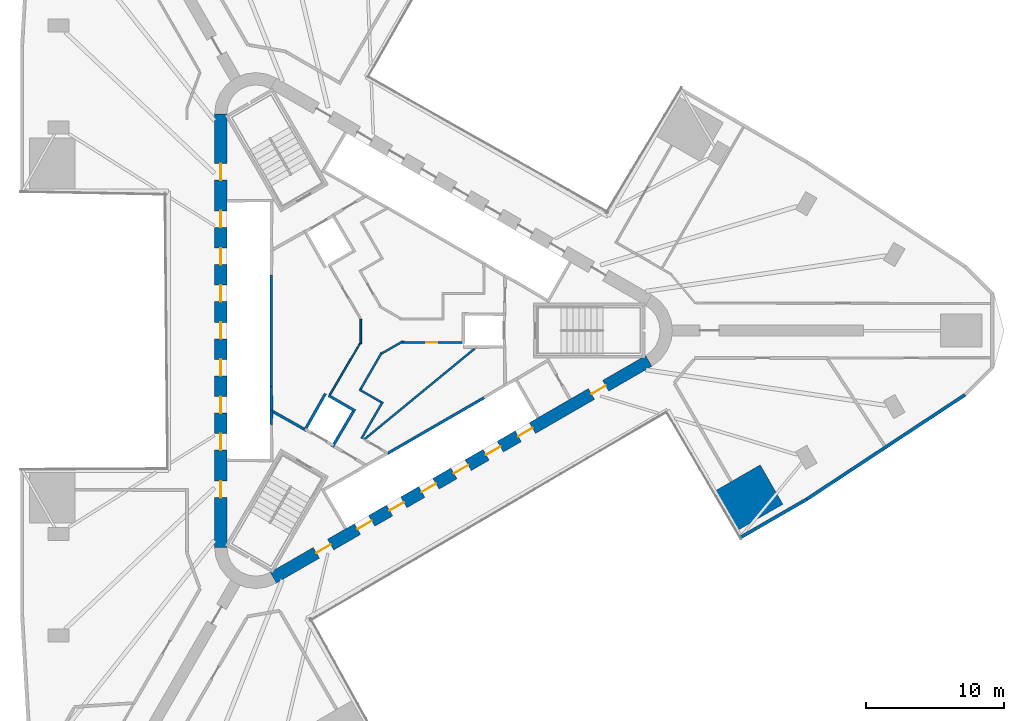
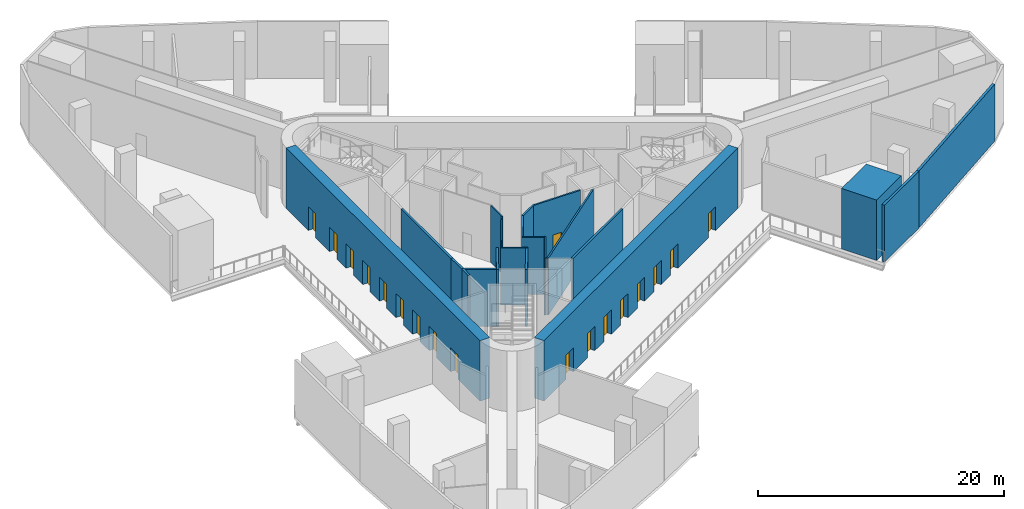
# One storey, part 4 of 11: 21 walls, 18 doors, 18 openings.
"""IFC4 building model written with IfcOpenShell, lengths in metres."""

from ifc_helpers import new_model, si_unit, direction, frame, frame_2d, origin, place, context, subcontext, project, spatial, polyline, rectangle, outline, extrude, material, layer, layer_set, type_object, element, fill, save


model = new_model("IFC4")

# Units and contexts
model_context = context("Model", 3, precision=1e-05, world=origin(), true_north=direction((0.0, 1.0)))
body_context = subcontext(model_context, "Body", "Model", "MODEL_VIEW")
ifc_project = project(units=[si_unit("LENGTHUNIT", "METRE"), si_unit("AREAUNIT", "SQUARE_METRE"), si_unit("VOLUMEUNIT", "CUBIC_METRE"), si_unit("PLANEANGLEUNIT", "RADIAN"), si_unit("MASSUNIT", "GRAM", prefix="KILO")], contexts=[model_context])

# Site, building, storey
site_placement = place(None, origin())
site = spatial("IfcSite", under=ifc_project, at=site_placement, CompositionType="ELEMENT")
building_placement = place(site_placement, origin())
building = spatial("IfcBuilding", under=site, at=building_placement, Name="Tanit Gate Tower", CompositionType="ELEMENT")
storey_placement = place(building_placement, frame((0.0, 0.0, 33.5)))
storey = spatial("IfcBuildingStorey", under=building, at=storey_placement, Name="L05", CompositionType="ELEMENT", Elevation=33.5)

# Wall, openings, doors
ifc_material_1 = material(Name="Concrete C60/75", Category="concrete")
ifc_layer_1 = layer(ifc_material_1, 0.89990234375)
ifc_layer_set_1 = layer_set([ifc_layer_1], Name="CORE WALL 900 C60/75")
wall_type_1 = type_object("IfcWallType", Name="CORE WALL 900 C60/75", PredefinedType="SHEAR", material=ifc_layer_set_1)
wall_1_placement = place(storey_placement, frame((-11.64990234375, 15.76171875, 0.0), z_axis=(0.0, 0.0, 1.0), x_axis=(0.0, -1.0, 0.0)))
wall_1 = element("IfcWall", 1, at=wall_1_placement, inside=storey, type_object=wall_type_1, Name="CORE WALL", PredefinedType="SHEAR", context=body_context, shape_type="SweptSolid", body=[
    extrude(rectangle(XDim=31.5234375, YDim=0.89990234375, at=frame_2d((15.76171875, 0.0))), origin(), (0.0, 0.0, 1.0), 6.0),
])
opening_1_placement = place(wall_1_placement, frame((7.061767578125, 0.0, 0.0)))
opening_1 = element("IfcOpeningElement", 2, at=opening_1_placement, cuts=wall_1, Name="Opening LDLL1-05", PredefinedType="OPENING", context=body_context, shape_type="SweptSolid", body=[
    extrude(rectangle(XDim=1.199951171875, YDim=2.39990234375, at=frame_2d((0.60009765625, 1.199951171875))), frame((0.0, 0.4599609375, 0.0), z_axis=(0.0, -1.0, 0.0), x_axis=(1.0, 0.0, 0.0)), (0.0, 0.0, 1.0), 0.919921875),
])
opening_2_placement = place(wall_1_placement, frame((9.76171875, 0.0, 0.0)))
opening_2 = element("IfcOpeningElement", 3, at=opening_2_placement, cuts=wall_1, Name="Opening LDLL2-05", PredefinedType="OPENING", context=body_context, shape_type="SweptSolid", body=[
    extrude(rectangle(XDim=1.199951171875, YDim=2.39990234375, at=frame_2d((0.60009765625, 1.199951171875))), frame((0.0, 0.4599609375, 0.0), z_axis=(0.0, -1.0, 0.0), x_axis=(1.0, 0.0, 0.0)), (0.0, 0.0, 1.0), 0.919921875),
])
opening_3_placement = place(wall_1_placement, frame((12.461669921875, 0.0, 0.0)))
opening_3 = element("IfcOpeningElement", 4, at=opening_3_placement, cuts=wall_1, Name="Opening LDLL3-05", PredefinedType="OPENING", context=body_context, shape_type="SweptSolid", body=[
    extrude(rectangle(XDim=1.199951171875, YDim=2.39990234375, at=frame_2d((0.60009765625, 1.199951171875))), frame((0.0, 0.4599609375, 0.0), z_axis=(0.0, -1.0, 0.0), x_axis=(1.0, 0.0, 0.0)), (0.0, 0.0, 1.0), 0.919921875),
])
opening_4_placement = place(wall_1_placement, frame((15.16162109375, 0.0, 0.0)))
opening_4 = element("IfcOpeningElement", 5, at=opening_4_placement, cuts=wall_1, Name="Opening LDLL4-05", PredefinedType="OPENING", context=body_context, shape_type="SweptSolid", body=[
    extrude(rectangle(XDim=1.199951171875, YDim=2.39990234375, at=frame_2d((0.60009765625, 1.199951171875))), frame((0.0, 0.4599609375, 0.0), z_axis=(0.0, -1.0, 0.0), x_axis=(1.0, 0.0, 0.0)), (0.0, 0.0, 1.0), 0.919921875),
])
opening_5_placement = place(wall_1_placement, frame((17.86181640625, 0.0, 0.0)))
opening_5 = element("IfcOpeningElement", 6, at=opening_5_placement, cuts=wall_1, Name="Opening LDLL5-05", PredefinedType="OPENING", context=body_context, shape_type="SweptSolid", body=[
    extrude(rectangle(XDim=1.199951171875, YDim=2.39990234375, at=frame_2d((0.60009765625, 1.199951171875))), frame((0.0, 0.4599609375, 0.0), z_axis=(0.0, -1.0, 0.0), x_axis=(1.0, 0.0, 0.0)), (0.0, 0.0, 1.0), 0.919921875),
])
opening_6_placement = place(wall_1_placement, frame((20.561767578125, 0.0, 0.0)))
opening_6 = element("IfcOpeningElement", 7, at=opening_6_placement, cuts=wall_1, Name="Opening LDLL6-05", PredefinedType="OPENING", context=body_context, shape_type="SweptSolid", body=[
    extrude(rectangle(XDim=1.199951171875, YDim=2.39990234375, at=frame_2d((0.60009765625, 1.199951171875))), frame((0.0, 0.4599609375, 0.0), z_axis=(0.0, -1.0, 0.0), x_axis=(1.0, 0.0, 0.0)), (0.0, 0.0, 1.0), 0.919921875),
])
opening_7_placement = place(wall_1_placement, frame((23.26171875, 0.0, 0.0)))
opening_7 = element("IfcOpeningElement", 8, at=opening_7_placement, cuts=wall_1, Name="Opening LDLL7-05", PredefinedType="OPENING", context=body_context, shape_type="SweptSolid", body=[
    extrude(rectangle(XDim=1.199951171875, YDim=2.39990234375, at=frame_2d((0.60009765625, 1.199951171875))), frame((0.0, 0.4599609375, 0.0), z_axis=(0.0, -1.0, 0.0), x_axis=(1.0, 0.0, 0.0)), (0.0, 0.0, 1.0), 0.919921875),
])
opening_8_placement = place(wall_1_placement, frame((3.61181640625, 0.0, 0.0)))
opening_8 = element("IfcOpeningElement", 9, at=opening_8_placement, cuts=wall_1, Name="Opening F12-05-FL2", PredefinedType="OPENING", context=body_context, shape_type="SweptSolid", body=[
    extrude(rectangle(XDim=1.199951171875, YDim=2.39990234375, at=frame_2d((0.60009765625, 1.199951171875))), frame((0.0, 0.4599609375, 0.0), z_axis=(0.0, -1.0, 0.0), x_axis=(1.0, 0.0, 0.0)), (0.0, 0.0, 1.0), 0.919921875),
])
opening_9_placement = place(wall_1_placement, frame((26.711669921875, 0.0, 0.0)))
opening_9 = element("IfcOpeningElement", 10, at=opening_9_placement, cuts=wall_1, Name="Opening F12-05-S3", PredefinedType="OPENING", context=body_context, shape_type="SweptSolid", body=[
    extrude(rectangle(XDim=1.199951171875, YDim=2.39990234375, at=frame_2d((0.60009765625, 1.199951171875))), frame((0.0, 0.4599609375, 0.0), z_axis=(0.0, -1.0, 0.0), x_axis=(1.0, 0.0, 0.0)), (0.0, 0.0, 1.0), 0.919921875),
])
ifc_material_2 = material(Name="Fire-rated steel door leaf", Category="steel")
door_type_1 = type_object("IfcDoorType", Name="INT-DOOR-FIRE-LOBBY-1200", OperationType="NOTDEFINED", PredefinedType="USERDEFINED", material=ifc_material_2)
door_1_placement = place(opening_8_placement, origin())
door_1 = element("IfcDoor", 11, at=door_1_placement, inside=storey, type_object=door_type_1, Name="Door F12-05-FL2", ObjectType="FIRE DOOR", OperationType="SINGLE_SWING_LEFT", OverallHeight=2.39990234375, OverallWidth=1.199951171875, PredefinedType="USERDEFINED", context=body_context, shape_type="SweptSolid", body=[
    extrude(rectangle(XDim=1.199951171875, YDim=2.39990234375, at=frame_2d((0.60009765625, 1.199951171875))), frame((0.0, 0.02490234375, 0.0), z_axis=(0.0, -1.0, 0.0), x_axis=(1.0, 0.0, 0.0)), (0.0, 0.0, 1.0), 0.050048828125),
])
fill(opening_8, door_1)
door_2_placement = place(opening_9_placement, origin())
door_2 = element("IfcDoor", 12, at=door_2_placement, inside=storey, type_object=door_type_1, Name="Door F12-05-S3", ObjectType="FIRE DOOR", OperationType="SINGLE_SWING_LEFT", OverallHeight=2.39990234375, OverallWidth=1.199951171875, PredefinedType="USERDEFINED", context=body_context, shape_type="SweptSolid", body=[
    extrude(rectangle(XDim=1.199951171875, YDim=2.39990234375, at=frame_2d((0.60009765625, 1.199951171875))), frame((0.0, 0.02490234375, 0.0), z_axis=(0.0, -1.0, 0.0), x_axis=(1.0, 0.0, 0.0)), (0.0, 0.0, 1.0), 0.050048828125),
])
fill(opening_9, door_2)
ifc_material_3 = material(Name="Stainless steel sliding door leaf", Category="steel")
door_type_2 = type_object("IfcDoorType", Name="INT-DOOR-LANDING-1200", OperationType="NOTDEFINED", PredefinedType="USERDEFINED", material=ifc_material_3)
door_3_placement = place(opening_1_placement, origin())
door_3 = element("IfcDoor", 13, at=door_3_placement, inside=storey, type_object=door_type_2, Name="Door LDLL1-05", ObjectType="LANDING DOOR", OperationType="SLIDING_TO_LEFT", OverallHeight=2.39990234375, OverallWidth=1.199951171875, PredefinedType="USERDEFINED", context=body_context, shape_type="SweptSolid", body=[
    extrude(rectangle(XDim=1.199951171875, YDim=2.39990234375, at=frame_2d((0.60009765625, 1.199951171875))), frame((0.0, 0.02490234375, 0.0), z_axis=(0.0, -1.0, 0.0), x_axis=(1.0, 0.0, 0.0)), (0.0, 0.0, 1.0), 0.050048828125),
])
fill(opening_1, door_3)
door_4_placement = place(opening_2_placement, origin())
door_4 = element("IfcDoor", 14, at=door_4_placement, inside=storey, type_object=door_type_2, Name="Door LDLL2-05", ObjectType="LANDING DOOR", OperationType="SLIDING_TO_LEFT", OverallHeight=2.39990234375, OverallWidth=1.199951171875, PredefinedType="USERDEFINED", context=body_context, shape_type="SweptSolid", body=[
    extrude(rectangle(XDim=1.199951171875, YDim=2.39990234375, at=frame_2d((0.60009765625, 1.199951171875))), frame((0.0, 0.02490234375, 0.0), z_axis=(0.0, -1.0, 0.0), x_axis=(1.0, 0.0, 0.0)), (0.0, 0.0, 1.0), 0.050048828125),
])
fill(opening_2, door_4)
door_5_placement = place(opening_3_placement, origin())
door_5 = element("IfcDoor", 15, at=door_5_placement, inside=storey, type_object=door_type_2, Name="Door LDLL3-05", ObjectType="LANDING DOOR", OperationType="SLIDING_TO_LEFT", OverallHeight=2.39990234375, OverallWidth=1.199951171875, PredefinedType="USERDEFINED", context=body_context, shape_type="SweptSolid", body=[
    extrude(rectangle(XDim=1.199951171875, YDim=2.39990234375, at=frame_2d((0.60009765625, 1.199951171875))), frame((0.0, 0.02490234375, 0.0), z_axis=(0.0, -1.0, 0.0), x_axis=(1.0, 0.0, 0.0)), (0.0, 0.0, 1.0), 0.050048828125),
])
fill(opening_3, door_5)
door_6_placement = place(opening_4_placement, origin())
door_6 = element("IfcDoor", 16, at=door_6_placement, inside=storey, type_object=door_type_2, Name="Door LDLL4-05", ObjectType="LANDING DOOR", OperationType="SLIDING_TO_LEFT", OverallHeight=2.39990234375, OverallWidth=1.199951171875, PredefinedType="USERDEFINED", context=body_context, shape_type="SweptSolid", body=[
    extrude(rectangle(XDim=1.199951171875, YDim=2.39990234375, at=frame_2d((0.60009765625, 1.199951171875))), frame((0.0, 0.02490234375, 0.0), z_axis=(0.0, -1.0, 0.0), x_axis=(1.0, 0.0, 0.0)), (0.0, 0.0, 1.0), 0.050048828125),
])
fill(opening_4, door_6)
door_7_placement = place(opening_5_placement, origin())
door_7 = element("IfcDoor", 17, at=door_7_placement, inside=storey, type_object=door_type_2, Name="Door LDLL5-05", ObjectType="LANDING DOOR", OperationType="SLIDING_TO_LEFT", OverallHeight=2.39990234375, OverallWidth=1.199951171875, PredefinedType="USERDEFINED", context=body_context, shape_type="SweptSolid", body=[
    extrude(rectangle(XDim=1.199951171875, YDim=2.39990234375, at=frame_2d((0.60009765625, 1.199951171875))), frame((0.0, 0.02490234375, 0.0), z_axis=(0.0, -1.0, 0.0), x_axis=(1.0, 0.0, 0.0)), (0.0, 0.0, 1.0), 0.050048828125),
])
fill(opening_5, door_7)
door_8_placement = place(opening_6_placement, origin())
door_8 = element("IfcDoor", 18, at=door_8_placement, inside=storey, type_object=door_type_2, Name="Door LDLL6-05", ObjectType="LANDING DOOR", OperationType="SLIDING_TO_LEFT", OverallHeight=2.39990234375, OverallWidth=1.199951171875, PredefinedType="USERDEFINED", context=body_context, shape_type="SweptSolid", body=[
    extrude(rectangle(XDim=1.199951171875, YDim=2.39990234375, at=frame_2d((0.60009765625, 1.199951171875))), frame((0.0, 0.02490234375, 0.0), z_axis=(0.0, -1.0, 0.0), x_axis=(1.0, 0.0, 0.0)), (0.0, 0.0, 1.0), 0.050048828125),
])
fill(opening_6, door_8)
door_9_placement = place(opening_7_placement, origin())
door_9 = element("IfcDoor", 19, at=door_9_placement, inside=storey, type_object=door_type_2, Name="Door LDLL7-05", ObjectType="LANDING DOOR", OperationType="SLIDING_TO_LEFT", OverallHeight=2.39990234375, OverallWidth=1.199951171875, PredefinedType="USERDEFINED", context=body_context, shape_type="SweptSolid", body=[
    extrude(rectangle(XDim=1.199951171875, YDim=2.39990234375, at=frame_2d((0.60009765625, 1.199951171875))), frame((0.0, 0.02490234375, 0.0), z_axis=(0.0, -1.0, 0.0), x_axis=(1.0, 0.0, 0.0)), (0.0, 0.0, 1.0), 0.050048828125),
])
fill(opening_7, door_9)

wall_2_placement = place(storey_placement, frame((-7.824951171875, -17.969970703125, 0.0), z_axis=(0.0, 0.0, 1.0), x_axis=(0.866028369851, 0.499994862586, 0.0)))
wall_2 = element("IfcWall", 20, at=wall_2_placement, inside=storey, type_object=wall_type_1, Name="CORE WALL", PredefinedType="SHEAR", context=body_context, shape_type="SweptSolid", body=[
    extrude(rectangle(XDim=31.523193359375, YDim=0.89990234375, at=frame_2d((15.76171875, 0.0))), origin(), (0.0, 0.0, 1.0), 6.0),
])
opening_10_placement = place(wall_2_placement, frame((7.061767578125, 0.0, 0.0)))
opening_10 = element("IfcOpeningElement", 21, at=opening_10_placement, cuts=wall_2, Name="Opening LDSX1-05", PredefinedType="OPENING", context=body_context, shape_type="SweptSolid", body=[
    extrude(rectangle(XDim=1.199951171875, YDim=2.39990234375, at=frame_2d((0.60009765625, 1.199951171875))), frame((0.0, 0.4599609375, 0.0), z_axis=(0.0, -1.0, 0.0), x_axis=(1.0, 0.0, 0.0)), (0.0, 0.0, 1.0), 0.919921875),
])
opening_11_placement = place(wall_2_placement, frame((9.76171875, 0.0, 0.0)))
opening_11 = element("IfcOpeningElement", 22, at=opening_11_placement, cuts=wall_2, Name="Opening LDSX2-05", PredefinedType="OPENING", context=body_context, shape_type="SweptSolid", body=[
    extrude(rectangle(XDim=1.199951171875, YDim=2.39990234375, at=frame_2d((0.60009765625, 1.199951171875))), frame((0.0, 0.4599609375, 0.0), z_axis=(0.0, -1.0, 0.0), x_axis=(1.0, 0.0, 0.0)), (0.0, 0.0, 1.0), 0.919921875),
])
opening_12_placement = place(wall_2_placement, frame((12.461669921875, 0.0, 0.0)))
opening_12 = element("IfcOpeningElement", 23, at=opening_12_placement, cuts=wall_2, Name="Opening LDSX3-05", PredefinedType="OPENING", context=body_context, shape_type="SweptSolid", body=[
    extrude(rectangle(XDim=1.199951171875, YDim=2.39990234375, at=frame_2d((0.60009765625, 1.199951171875))), frame((0.0, 0.4599609375, 0.0), z_axis=(0.0, -1.0, 0.0), x_axis=(1.0, 0.0, 0.0)), (0.0, 0.0, 1.0), 0.919921875),
])
opening_13_placement = place(wall_2_placement, frame((15.16162109375, 0.0, 0.0)))
opening_13 = element("IfcOpeningElement", 24, at=opening_13_placement, cuts=wall_2, Name="Opening LDSX4-05", PredefinedType="OPENING", context=body_context, shape_type="SweptSolid", body=[
    extrude(rectangle(XDim=1.199951171875, YDim=2.39990234375, at=frame_2d((0.60009765625, 1.199951171875))), frame((0.0, 0.4599609375, 0.0), z_axis=(0.0, -1.0, 0.0), x_axis=(1.0, 0.0, 0.0)), (0.0, 0.0, 1.0), 0.919921875),
])
opening_14_placement = place(wall_2_placement, frame((17.861572265625, 0.0, 0.0)))
opening_14 = element("IfcOpeningElement", 25, at=opening_14_placement, cuts=wall_2, Name="Opening LDSV1-05", PredefinedType="OPENING", context=body_context, shape_type="SweptSolid", body=[
    extrude(rectangle(XDim=1.199951171875, YDim=2.39990234375, at=frame_2d((0.60009765625, 1.199951171875))), frame((0.0, 0.4599609375, 0.0), z_axis=(0.0, -1.0, 0.0), x_axis=(1.0, 0.0, 0.0)), (0.0, 0.0, 1.0), 0.919921875),
])
opening_15_placement = place(wall_2_placement, frame((20.561767578125, 0.0, 0.0)))
opening_15 = element("IfcOpeningElement", 26, at=opening_15_placement, cuts=wall_2, Name="Opening LDSV2-05", PredefinedType="OPENING", context=body_context, shape_type="SweptSolid", body=[
    extrude(rectangle(XDim=1.199951171875, YDim=2.39990234375, at=frame_2d((0.60009765625, 1.199951171875))), frame((0.0, 0.4599609375, 0.0), z_axis=(0.0, -1.0, 0.0), x_axis=(1.0, 0.0, 0.0)), (0.0, 0.0, 1.0), 0.919921875),
])
opening_16_placement = place(wall_2_placement, frame((26.711669921875, 0.0, 0.0)))
opening_16 = element("IfcOpeningElement", 27, at=opening_16_placement, cuts=wall_2, Name="Opening F12-05-S1", PredefinedType="OPENING", context=body_context, shape_type="SweptSolid", body=[
    extrude(rectangle(XDim=1.199951171875, YDim=2.39990234375, at=frame_2d((0.60009765625, 1.199951171875))), frame((0.0, 0.4599609375, 0.0), z_axis=(0.0, -1.0, 0.0), x_axis=(1.0, 0.0, 0.0)), (0.0, 0.0, 1.0), 0.919921875),
])
opening_17_placement = place(wall_2_placement, frame((3.611572265625, 0.0, 0.0)))
opening_17 = element("IfcOpeningElement", 28, at=opening_17_placement, cuts=wall_2, Name="Opening F12-05-FL3", PredefinedType="OPENING", context=body_context, shape_type="SweptSolid", body=[
    extrude(rectangle(XDim=1.199951171875, YDim=2.39990234375, at=frame_2d((0.60009765625, 1.199951171875))), frame((0.0, 0.4599609375, 0.0), z_axis=(0.0, -1.0, 0.0), x_axis=(1.0, 0.0, 0.0)), (0.0, 0.0, 1.0), 0.919921875),
])
door_10_placement = place(opening_16_placement, origin())
door_10 = element("IfcDoor", 29, at=door_10_placement, inside=storey, type_object=door_type_1, Name="Door F12-05-S1", ObjectType="FIRE DOOR", OperationType="SINGLE_SWING_LEFT", OverallHeight=2.39990234375, OverallWidth=1.199951171875, PredefinedType="USERDEFINED", context=body_context, shape_type="SweptSolid", body=[
    extrude(rectangle(XDim=1.199951171875, YDim=2.39990234375, at=frame_2d((0.60009765625, 1.199951171875))), frame((0.0, 0.02490234375, 0.0), z_axis=(0.0, -1.0, 0.0), x_axis=(1.0, 0.0, 0.0)), (0.0, 0.0, 1.0), 0.050048828125),
])
fill(opening_16, door_10)
door_11_placement = place(opening_17_placement, origin())
door_11 = element("IfcDoor", 30, at=door_11_placement, inside=storey, type_object=door_type_1, Name="Door F12-05-FL3", ObjectType="FIRE DOOR", OperationType="SINGLE_SWING_RIGHT", OverallHeight=2.39990234375, OverallWidth=1.199951171875, PredefinedType="USERDEFINED", context=body_context, shape_type="SweptSolid", body=[
    extrude(rectangle(XDim=1.199951171875, YDim=2.39990234375, at=frame_2d((0.60009765625, 1.199951171875))), frame((0.0, 0.02490234375, 0.0), z_axis=(0.0, -1.0, 0.0), x_axis=(1.0, 0.0, 0.0)), (0.0, 0.0, 1.0), 0.050048828125),
])
fill(opening_17, door_11)
door_12_placement = place(opening_10_placement, origin())
door_12 = element("IfcDoor", 31, at=door_12_placement, inside=storey, type_object=door_type_2, Name="Door LDSX1-05", ObjectType="LANDING DOOR", OperationType="SLIDING_TO_LEFT", OverallHeight=2.39990234375, OverallWidth=1.199951171875, PredefinedType="USERDEFINED", context=body_context, shape_type="SweptSolid", body=[
    extrude(rectangle(XDim=1.199951171875, YDim=2.39990234375, at=frame_2d((0.60009765625, 1.199951171875))), frame((0.0, 0.02490234375, 0.0), z_axis=(0.0, -1.0, 0.0), x_axis=(1.0, 0.0, 0.0)), (0.0, 0.0, 1.0), 0.050048828125),
])
fill(opening_10, door_12)
door_13_placement = place(opening_11_placement, origin())
door_13 = element("IfcDoor", 32, at=door_13_placement, inside=storey, type_object=door_type_2, Name="Door LDSX2-05", ObjectType="LANDING DOOR", OperationType="SLIDING_TO_LEFT", OverallHeight=2.39990234375, OverallWidth=1.199951171875, PredefinedType="USERDEFINED", context=body_context, shape_type="SweptSolid", body=[
    extrude(rectangle(XDim=1.199951171875, YDim=2.39990234375, at=frame_2d((0.60009765625, 1.199951171875))), frame((0.0, 0.02490234375, 0.0), z_axis=(0.0, -1.0, 0.0), x_axis=(1.0, 0.0, 0.0)), (0.0, 0.0, 1.0), 0.050048828125),
])
fill(opening_11, door_13)
door_14_placement = place(opening_12_placement, origin())
door_14 = element("IfcDoor", 33, at=door_14_placement, inside=storey, type_object=door_type_2, Name="Door LDSX3-05", ObjectType="LANDING DOOR", OperationType="SLIDING_TO_LEFT", OverallHeight=2.39990234375, OverallWidth=1.199951171875, PredefinedType="USERDEFINED", context=body_context, shape_type="SweptSolid", body=[
    extrude(rectangle(XDim=1.199951171875, YDim=2.39990234375, at=frame_2d((0.60009765625, 1.199951171875))), frame((0.0, 0.02490234375, 0.0), z_axis=(0.0, -1.0, 0.0), x_axis=(1.0, 0.0, 0.0)), (0.0, 0.0, 1.0), 0.050048828125),
])
fill(opening_12, door_14)
door_15_placement = place(opening_13_placement, origin())
door_15 = element("IfcDoor", 34, at=door_15_placement, inside=storey, type_object=door_type_2, Name="Door LDSX4-05", ObjectType="LANDING DOOR", OperationType="SLIDING_TO_LEFT", OverallHeight=2.39990234375, OverallWidth=1.199951171875, PredefinedType="USERDEFINED", context=body_context, shape_type="SweptSolid", body=[
    extrude(rectangle(XDim=1.199951171875, YDim=2.39990234375, at=frame_2d((0.60009765625, 1.199951171875))), frame((0.0, 0.02490234375, 0.0), z_axis=(0.0, -1.0, 0.0), x_axis=(1.0, 0.0, 0.0)), (0.0, 0.0, 1.0), 0.050048828125),
])
fill(opening_13, door_15)
door_16_placement = place(opening_14_placement, origin())
door_16 = element("IfcDoor", 35, at=door_16_placement, inside=storey, type_object=door_type_2, Name="Door LDSV1-05", ObjectType="LANDING DOOR", OperationType="SLIDING_TO_LEFT", OverallHeight=2.39990234375, OverallWidth=1.199951171875, PredefinedType="USERDEFINED", context=body_context, shape_type="SweptSolid", body=[
    extrude(rectangle(XDim=1.199951171875, YDim=2.39990234375, at=frame_2d((0.60009765625, 1.199951171875))), frame((0.0, 0.02490234375, 0.0), z_axis=(0.0, -1.0, 0.0), x_axis=(1.0, 0.0, 0.0)), (0.0, 0.0, 1.0), 0.050048828125),
])
fill(opening_14, door_16)
door_17_placement = place(opening_15_placement, origin())
door_17 = element("IfcDoor", 36, at=door_17_placement, inside=storey, type_object=door_type_2, Name="Door LDSV2-05", ObjectType="LANDING DOOR", OperationType="SLIDING_TO_LEFT", OverallHeight=2.39990234375, OverallWidth=1.199951171875, PredefinedType="USERDEFINED", context=body_context, shape_type="SweptSolid", body=[
    extrude(rectangle(XDim=1.199951171875, YDim=2.39990234375, at=frame_2d((0.60009765625, 1.199951171875))), frame((0.0, 0.02490234375, 0.0), z_axis=(0.0, -1.0, 0.0), x_axis=(1.0, 0.0, 0.0)), (0.0, 0.0, 1.0), 0.050048828125),
])
fill(opening_15, door_17)

# Walls
ifc_material_4 = material(Name="Concrete C30/37 with bronze anodised aluminium cladding", Category="concrete")
ifc_layer_2 = layer(ifc_material_4, 0.239990234375)
ifc_layer_set_2 = layer_set([ifc_layer_2], Name="Facade wall bronze clad 240")
wall_type_2 = type_object("IfcWallType", Name="Facade wall bronze clad 240", PredefinedType="SOLIDWALL", material=ifc_layer_set_2)
wall_3_placement = place(storey_placement, frame((26.1474609375, -15.0498046875, 0.0), z_axis=(0.0, 0.0, 1.0), x_axis=(0.865999312459, 0.500045188778, 0.0)))
element("IfcWall", 37, at=wall_3_placement, inside=storey, type_object=wall_type_2, Name="Bronze-clad facade wall L05 SE2b", PredefinedType="SOLIDWALL", context=body_context, shape_type="SweptSolid", body=[
    extrude(rectangle(XDim=5.56591796875, YDim=0.239990234375, at=frame_2d((2.782958984375, 0.0))), origin(), (0.0, 0.0, 1.0), 5.64990234375),
])
wall_4_placement = place(storey_placement, frame((30.967529296875, -12.2666015625, 0.0), z_axis=(0.0, 0.0, 1.0), x_axis=(0.834683405501, 0.550730072342, 0.0)))
element("IfcWall", 38, at=wall_4_placement, inside=storey, type_object=wall_type_2, Name="Bronze-clad facade wall L05 SE3", PredefinedType="SOLIDWALL", context=body_context, shape_type="SweptSolid", body=[
    extrude(rectangle(XDim=13.80126953125, YDim=0.239990234375, at=frame_2d((6.900634765625, 0.0))), origin(), (0.0, 0.0, 1.0), 5.64990234375),
])
ifc_material_5 = material(Name="Fire-rated gypsum board partition")
ifc_layer_3 = layer(ifc_material_5, 0.199951171875)
ifc_layer_set_3 = layer_set([ifc_layer_3], Name="INT-WALL-COMPARTMENT")
wall_type_3 = type_object("IfcWallType", Name="INT-WALL-COMPARTMENT", PredefinedType="PARTITIONING", material=ifc_layer_set_3)
wall_5_placement = place(storey_placement, frame((-7.84912109375, -5.893798828125, 0.0), z_axis=(0.0, 0.0, 1.0), x_axis=(0.871340486379, -0.490678873396, 0.0)))
element("IfcWall", 39, at=wall_5_placement, inside=storey, type_object=wall_type_3, Name="Wall Compartment W067", PredefinedType="PARTITIONING", context=body_context, shape_type="SweptSolid", body=[
    extrude(rectangle(XDim=2.580810546875, YDim=0.199951171875, at=frame_2d((1.29052734375, 0.0))), origin(), (0.0, 0.0, 1.0), 5.64990234375),
])
ifc_material_6 = material(Name="Gypsum board partition")
ifc_layer_4 = layer(ifc_material_6, 0.1201171875)
ifc_layer_set_4 = layer_set([ifc_layer_4], Name="INT-WALL-PARTITION")
wall_type_4 = type_object("IfcWallType", Name="INT-WALL-PARTITION", PredefinedType="PARTITIONING", material=ifc_layer_set_4)
wall_6_placement = place(storey_placement, frame((-1.47216796875, -0.952392578125, 0.0), z_axis=(0.0, 0.0, 1.0), x_axis=(0.0, 1.0, 0.0)))
element("IfcWall", 40, at=wall_6_placement, inside=storey, type_object=wall_type_4, Name="Wall Partition W070", PredefinedType="PARTITIONING", context=body_context, shape_type="SweptSolid", body=[
    extrude(rectangle(XDim=1.783447265625, YDim=0.1201171875, at=frame_2d((0.8916015625, 0.0))), origin(), (0.0, 0.0, 1.0), 5.64990234375),
])
wall_7_placement = place(storey_placement, frame((-3.711181640625, -4.670166015625, 0.0), z_axis=(0.0, 0.0, 1.0), x_axis=(0.505649867547, 0.862738785178, 0.0)))
element("IfcWall", 41, at=wall_7_placement, inside=storey, type_object=wall_type_4, Name="Wall Partition W071", PredefinedType="PARTITIONING", context=body_context, shape_type="SweptSolid", body=[
    extrude(rectangle(XDim=4.4091796875, YDim=0.1201171875, at=frame_2d((2.20458984375, 0.0))), origin(), (0.0, 0.0, 1.0), 5.64990234375),
])
ifc_material_7 = material(Name="Fire-rated gypsum board partition")
ifc_layer_5 = layer(ifc_material_7, 0.14990234375)
ifc_layer_set_5 = layer_set([ifc_layer_5], Name="INT-WALL-RISER")
wall_type_5 = type_object("IfcWallType", Name="INT-WALL-RISER", PredefinedType="PLUMBINGWALL", material=ifc_layer_set_5)
wall_8_placement = place(storey_placement, frame((6.833740234375, -1.3017578125, 0.0), z_axis=(0.0, 0.0, 1.0), x_axis=(-0.772564687607, -0.634936062499, 0.0)))
element("IfcWall", 42, at=wall_8_placement, inside=storey, type_object=wall_type_5, Name="Wall Riser W072", PredefinedType="PLUMBINGWALL", context=body_context, shape_type="SweptSolid", body=[
    extrude(rectangle(XDim=10.457275390625, YDim=0.14990234375, at=frame_2d((5.228515625, 0.0))), origin(), (0.0, 0.0, 1.0), 5.64990234375),
])
wall_9_placement = place(storey_placement, frame((0.125732421875, -5.18212890625, 0.0), z_axis=(0.0, 0.0, 1.0), x_axis=(-0.499956128963, -0.866050731258, 0.0)))
element("IfcWall", 43, at=wall_9_placement, inside=storey, type_object=wall_type_5, Name="Wall Riser W073", PredefinedType="PLUMBINGWALL", context=body_context, shape_type="SweptSolid", body=[
    extrude(rectangle(XDim=3.074951171875, YDim=0.14990234375, at=frame_2d((1.53759765625, 0.0))), origin(), (0.0, 0.0, 1.0), 5.64990234375),
])
wall_10_placement = place(storey_placement, frame((-1.578857421875, -4.28466796875, 0.0), z_axis=(0.0, 0.0, 1.0), x_axis=(0.866033964044, -0.499985172903, 0.0)))
element("IfcWall", 44, at=wall_10_placement, inside=storey, type_object=wall_type_5, Name="Wall Riser W074", PredefinedType="PLUMBINGWALL", context=body_context, shape_type="SweptSolid", body=[
    extrude(rectangle(XDim=1.85009765625, YDim=0.14990234375, at=frame_2d((0.925048828125, 0.0))), origin(), (0.0, 0.0, 1.0), 5.64990234375),
])
wall_11_placement = place(storey_placement, frame((0.06494140625, -1.58740234375, 0.0), z_axis=(0.0, 0.0, 1.0), x_axis=(-0.499980683721, -0.866036555756, 0.0)))
element("IfcWall", 45, at=wall_11_placement, inside=storey, type_object=wall_type_5, Name="Wall Riser W075", PredefinedType="PLUMBINGWALL", context=body_context, shape_type="SweptSolid", body=[
    extrude(rectangle(XDim=3.08251953125, YDim=0.14990234375, at=frame_2d((1.541259765625, 0.0))), origin(), (0.0, 0.0, 1.0), 5.64990234375),
])
wall_12_placement = place(storey_placement, frame((1.5830078125, -0.7861328125, 0.0), z_axis=(0.0, 0.0, 1.0), x_axis=(-0.866036909293, -0.499980071345, 0.0)))
element("IfcWall", 46, at=wall_12_placement, inside=storey, type_object=wall_type_5, Name="Wall Riser W076", PredefinedType="PLUMBINGWALL", context=body_context, shape_type="SweptSolid", body=[
    extrude(rectangle(XDim=1.8046875, YDim=0.14990234375, at=frame_2d((0.90234375, 0.0))), origin(), (0.0, 0.0, 1.0), 5.64990234375),
])

# Wall, opening, door
wall_13_placement = place(storey_placement, frame((5.89990234375, -0.87890625, 0.0), z_axis=(0.0, 0.0, 1.0), x_axis=(-0.999978605844, 0.006541242613, 0.0)))
wall_13 = element("IfcWall", 47, at=wall_13_placement, inside=storey, type_object=wall_type_5, Name="Wall Riser W077", PredefinedType="PLUMBINGWALL", context=body_context, shape_type="SweptSolid", body=[
    extrude(rectangle(XDim=4.404052734375, YDim=0.14990234375, at=frame_2d((2.2021484375, 0.0))), origin(), (0.0, 0.0, 1.0), 5.64990234375),
])
opening_18_placement = place(wall_13_placement, frame((1.802001953125, 0.0, 0.0)))
opening_18 = element("IfcOpeningElement", 48, at=opening_18_placement, cuts=wall_13, Name="Opening R08-05-11", PredefinedType="OPENING", context=body_context, shape_type="SweptSolid", body=[
    extrude(rectangle(XDim=0.800048828125, YDim=2.10009765625, at=frame_2d((0.39990234375, 1.050048828125))), frame((0.0, 0.0849609375, 0.0), z_axis=(0.0, -1.0, 0.0), x_axis=(1.0, 0.0, 0.0)), (0.0, 0.0, 1.0), 0.169921875),
])
ifc_material_8 = material(Name="Timber door leaf", Category="wood")
door_type_3 = type_object("IfcDoorType", Name="INT-DOOR-RISER-800", OperationType="NOTDEFINED", PredefinedType="USERDEFINED", material=ifc_material_8)
door_18_placement = place(opening_18_placement, origin())
door_18 = element("IfcDoor", 49, at=door_18_placement, inside=storey, type_object=door_type_3, Name="Door R08-05-11", ObjectType="FIRE DOOR", OperationType="SINGLE_SWING_RIGHT", OverallHeight=2.10009765625, OverallWidth=0.800048828125, PredefinedType="USERDEFINED", context=body_context, shape_type="SweptSolid", body=[
    extrude(rectangle(XDim=0.800048828125, YDim=2.10009765625, at=frame_2d((0.39990234375, 1.050048828125))), frame((0.0, 0.02490234375, 0.0), z_axis=(0.0, -1.0, 0.0), x_axis=(1.0, 0.0, 0.0)), (0.0, 0.0, 1.0), 0.050048828125),
])
fill(opening_18, door_18)

# Walls
ifc_material_9 = material(Name="Gypsum shaft wall system")
ifc_layer_6 = layer(ifc_material_9, 0.199951171875)
ifc_layer_set_6 = layer_set([ifc_layer_6], Name="INT-WALL-SHAFT")
wall_type_6 = type_object("IfcWallType", Name="INT-WALL-SHAFT", PredefinedType="PLUMBINGWALL", material=ifc_layer_set_6)
wall_14_placement = place(storey_placement, frame((-7.97998046875, 4.050048828125, 0.0), z_axis=(0.0, 0.0, 1.0), x_axis=(0.0, -1.0, 0.0)))
element("IfcWall", 50, at=wall_14_placement, inside=storey, type_object=wall_type_6, Name="Wall Shaft W006", PredefinedType="PLUMBINGWALL", context=body_context, shape_type="SweptSolid", body=[
    extrude(rectangle(XDim=8.10009765625, YDim=0.199951171875, at=frame_2d((4.050048828125, 0.0))), origin(), (0.0, 0.0, 1.0), 5.64990234375),
])
wall_15_placement = place(storey_placement, frame((-7.949951171875, -5.7724609375, 0.0), z_axis=(0.0, 0.0, 1.0), x_axis=(-0.030803413295, -0.999525462272, 0.0)))
element("IfcWall", 51, at=wall_15_placement, inside=storey, type_object=wall_type_6, Name="Wall Shaft W009", PredefinedType="PLUMBINGWALL", context=body_context, shape_type="SweptSolid", body=[
    extrude(rectangle(XDim=1.077880859375, YDim=0.199951171875, at=frame_2d((0.5390625, 0.0))), origin(), (0.0, 0.0, 1.0), 5.64990234375),
])
wall_16_placement = place(storey_placement, frame((-7.97998046875, -4.050048828125, 0.0), z_axis=(0.0, 0.0, 1.0), x_axis=(0.016809909365, -0.999858703491, 0.0)))
element("IfcWall", 52, at=wall_16_placement, inside=storey, type_object=wall_type_6, Name="Wall Shaft W010", PredefinedType="PLUMBINGWALL", context=body_context, shape_type="SweptSolid", body=[
    extrude(rectangle(XDim=1.844482421875, YDim=0.199951171875, at=frame_2d((0.92236328125, 0.0))), origin(), (0.0, 0.0, 1.0), 5.64990234375),
])
wall_17_placement = place(storey_placement, frame((0.482666015625, -8.935791015625, 0.0), z_axis=(0.0, 0.0, 1.0), x_axis=(0.866030989016, 0.499990325971, 0.0)))
element("IfcWall", 53, at=wall_17_placement, inside=storey, type_object=wall_type_6, Name="Wall Shaft W031", PredefinedType="PLUMBINGWALL", context=body_context, shape_type="SweptSolid", body=[
    extrude(rectangle(XDim=8.099853515625, YDim=0.199951171875, at=frame_2d((4.0498046875, 0.0))), origin(), (0.0, 0.0, 1.0), 5.64990234375),
])
wall_18_placement = place(storey_placement, frame((-5.5625, -7.29638671875, 0.0), z_axis=(0.0, 0.0, 1.0), x_axis=(0.491322718731, 0.870977603649, 0.0)))
element("IfcWall", 54, at=wall_18_placement, inside=storey, type_object=wall_type_6, Name="Wall Shaft W058", PredefinedType="PLUMBINGWALL", context=body_context, shape_type="SweptSolid", body=[
    extrude(rectangle(XDim=3.10009765625, YDim=0.199951171875, at=frame_2d((1.550048828125, 0.0))), origin(), (0.0, 0.0, 1.0), 5.64990234375),
])
wall_19_placement = place(storey_placement, frame((-3.813720703125, -4.726318359375, 0.0), z_axis=(0.0, 0.0, 1.0), x_axis=(0.866000409959, -0.500043288077, 0.0)))
element("IfcWall", 55, at=wall_19_placement, inside=storey, type_object=wall_type_6, Name="Wall Shaft W059", PredefinedType="PLUMBINGWALL", context=body_context, shape_type="SweptSolid", body=[
    extrude(rectangle(XDim=2.239501953125, YDim=0.199951171875, at=frame_2d((1.11962890625, 0.0))), origin(), (0.0, 0.0, 1.0), 5.64990234375),
])
wall_20_placement = place(storey_placement, frame((-2.01171875, -5.88232421875, 0.0), z_axis=(0.0, 0.0, 1.0), x_axis=(-0.508619639323, -0.860991325447, 0.0)))
element("IfcWall", 56, at=wall_20_placement, inside=storey, type_object=wall_type_6, Name="Wall Shaft W060", PredefinedType="PLUMBINGWALL", context=body_context, shape_type="SweptSolid", body=[
    extrude(rectangle(XDim=3.0, YDim=0.199951171875, at=frame_2d((1.5, 0.0))), origin(), (0.0, 0.0, 1.0), 5.64990234375),
])
ifc_material_10 = material(Name="Concrete C60/75", Category="concrete")
ifc_layer_7 = layer(ifc_material_10, 4.0)
ifc_layer_set_7 = layer_set([ifc_layer_7], Name="PIER WALL 4000 C60/75")
wall_type_7 = type_object("IfcWallType", Name="PIER WALL 4000 C60/75", PredefinedType="SHEAR", material=ifc_layer_set_7)
wall_21_placement = place(storey_placement, origin())
element("IfcWall", 57, at=wall_21_placement, inside=storey, type_object=wall_type_7, Name="PIER WALL", PredefinedType="SHEAR", context=body_context, shape_type="SweptSolid", body=[
    extrude(outline(polyline([(25.76708984375, -14.6298828125), (29.231201171875, -12.6298828125), (27.581298828125, -9.77197265625), (24.1171875, -11.77197265625), (25.76708984375, -14.6298828125)])), origin(), (0.0, 0.0, 1.0), 6.0),
])

save(model, "model.ifc")
